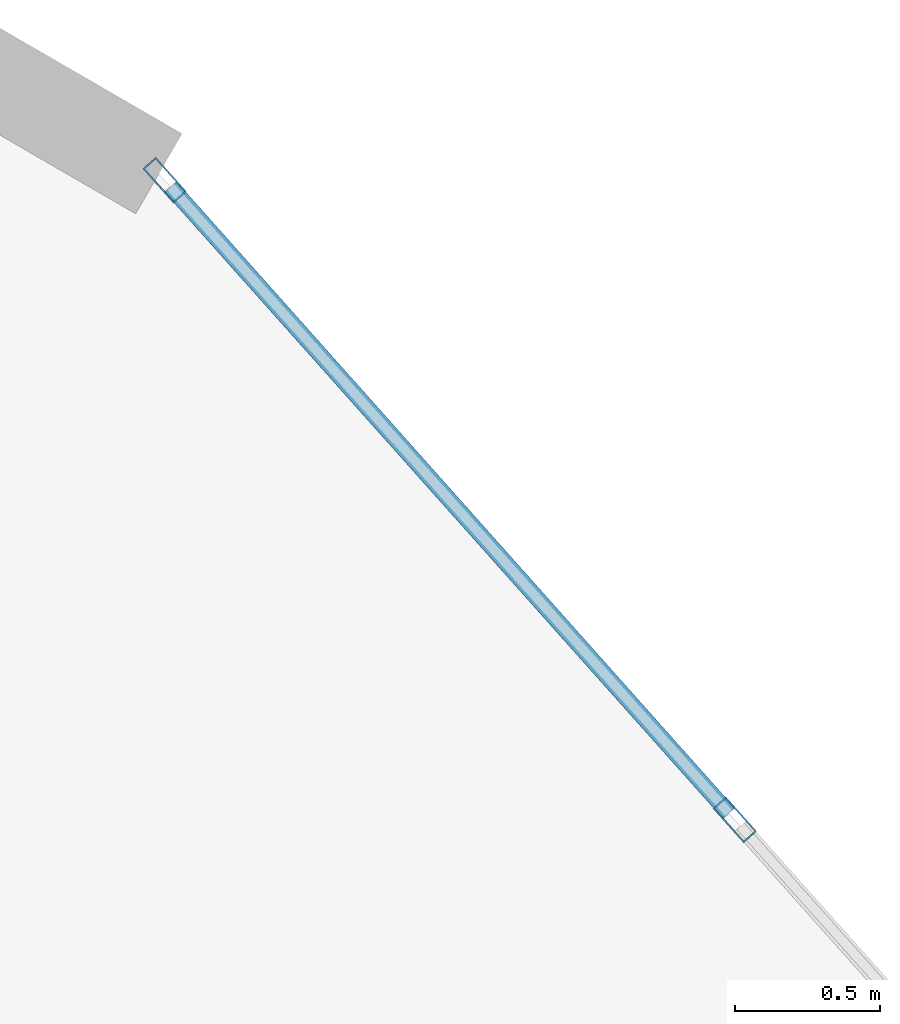
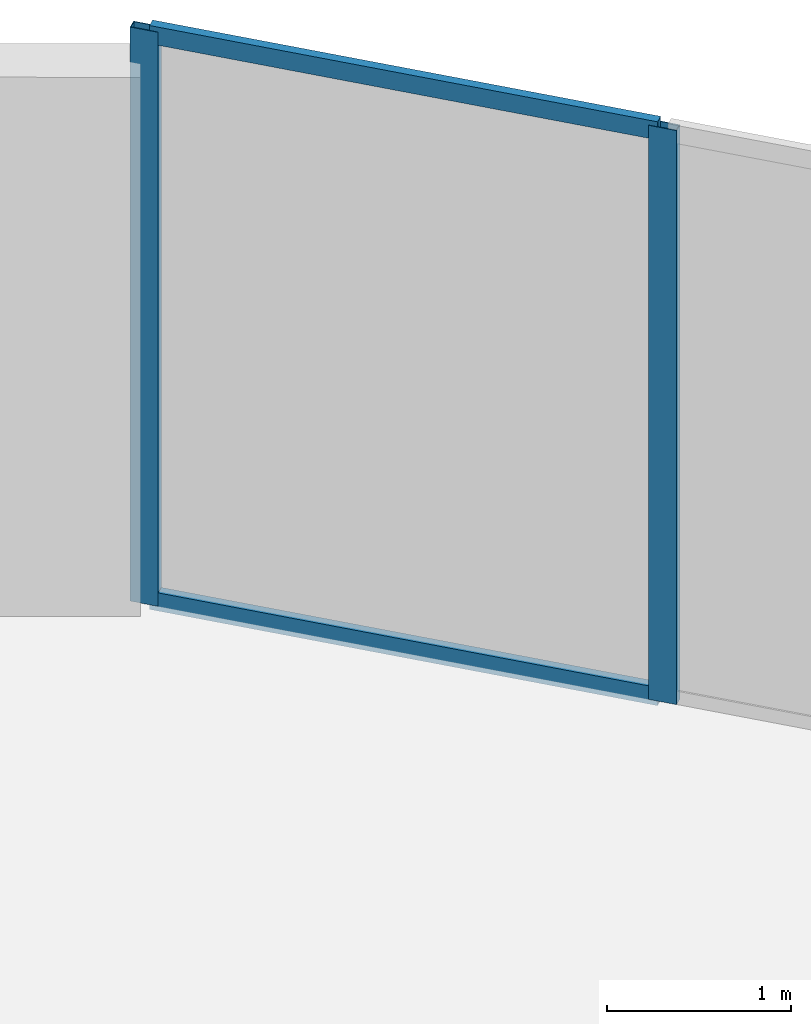
# One storey, part 16 of 23: 4 members, 1 element without a shape of its own.
"""IFC4 building model written with IfcOpenShell, lengths in metres."""

from ifc_helpers import new_model, si_unit, direction, frame, origin, origin_2d, place, context, subcontext, project, spatial, hollow_rectangle, extrude, source, transform, mapped, material, layer, layer_set, material_profile, profile_set, type_object, element, aggregate, save


model = new_model("IFC4")

# Units and contexts
model_context = context("Model", 3, precision=1e-05, world=origin(), true_north=direction((0.0, 1.0)))
body_context = subcontext(model_context, "Body", "Model", "MODEL_VIEW")
ifc_project = project(units=[si_unit("LENGTHUNIT", "METRE"), si_unit("AREAUNIT", "SQUARE_METRE"), si_unit("VOLUMEUNIT", "CUBIC_METRE"), si_unit("PLANEANGLEUNIT", "RADIAN"), si_unit("MASSUNIT", "GRAM", prefix="KILO")], contexts=[model_context])

# Site, building, storey
site_placement = place(None, origin())
site = spatial("IfcSite", under=ifc_project, at=site_placement, CompositionType="ELEMENT")
building_placement = place(site_placement, origin())
building = spatial("IfcBuilding", under=site, at=building_placement, Name="Solvirekh Grand Hotel", CompositionType="ELEMENT")
storey_placement = place(building_placement, frame((0.0, 0.0, 285.800048828125)))
storey = spatial("IfcBuildingStorey", under=building, at=storey_placement, Name="L74", CompositionType="ELEMENT", Elevation=285.800048828125)

# Curtain wall, members
ifc_material = material(Name="Anodized Bronze Aluminium 6063-T6", Category="aluminium")
ifc_layer = layer(ifc_material, 0.159912109375)
ifc_layer_set = layer_set([ifc_layer], Name="Anodized Bronze Aluminium 6063-T6")
curtain_wall_type = type_object("IfcCurtainWallType", Name="CW_Sys4_HighZoneFlushBronzeCW", PredefinedType="NOTDEFINED", material=ifc_layer_set)
curtain_wall_placement = place(storey_placement, origin())
curtain_wall = element("IfcCurtainWall", 1, at=curtain_wall_placement, inside=storey, type_object=curtain_wall_type, Name="L74 unitised bronze-glass curtain wall CW-L74-C08", PredefinedType="NOTDEFINED")
ifc_material_profile_1 = material_profile(ifc_material, hollow_rectangle(XDim=0.06005859375, YDim=0.159912109375, WallThickness=0.0048828125, at=origin_2d()), Name="ALU RHS 160X60X5")
ifc_profile_set_1 = profile_set([ifc_material_profile_1], Name="Anodized Bronze Aluminium 6063-T6")
member_type_1 = type_object("IfcMemberType", Name="CWMullion_Sys4", PredefinedType="MULLION", material=ifc_profile_set_1)
shared_shape_1 = source(origin(), body_context, "Body", "SweptSolid", [
    extrude(hollow_rectangle(XDim=0.06005859375, YDim=0.159912109375, WallThickness=0.0048828125, at=origin_2d()), origin(), (0.0, 0.0, 1.0), 3.800048828125),
])
member_1_placement = place(storey_placement, frame((12.448974609375, 13.115478515625, 0.0), z_axis=(0.0, 0.0, 1.0), x_axis=(-0.746468159364, -0.665421135114, 0.0)))
member_1 = element("IfcMember", 2, at=member_1_placement, type_object=member_type_1, Name="U04 mullion 2", PredefinedType="MULLION", context=body_context, shape_type="MappedRepresentation", body=[
    mapped(shared_shape_1, transform((0.0, 0.0, 0.0), x_axis=(1.0, 0.0, 0.0), y_axis=(0.0, 1.0, 0.0), z_axis=(0.0, 0.0, 1.0), scale=1.0)),
])
member_2_placement = place(storey_placement, frame((10.47802734375, 15.32666015625, 0.0), z_axis=(0.0, 0.0, 1.0), x_axis=(-0.746468159364, -0.665421135114, 0.0)))
member_2 = element("IfcMember", 3, at=member_2_placement, type_object=member_type_1, Name="U04 mullion 3", PredefinedType="MULLION", context=body_context, shape_type="MappedRepresentation", body=[
    mapped(shared_shape_1, transform((0.0, 0.0, 0.0), x_axis=(1.0, 0.0, 0.0), y_axis=(0.0, 1.0, 0.0), z_axis=(0.0, 0.0, 1.0), scale=1.0)),
])
ifc_material_profile_2 = material_profile(ifc_material, hollow_rectangle(XDim=0.054931640625, YDim=0.1201171875, WallThickness=0.00390625, at=origin_2d()), Name="ALU RHS 120X55X4")
ifc_profile_set_2 = profile_set([ifc_material_profile_2], Name="Anodized Bronze Aluminium 6063-T6")
member_type_2 = type_object("IfcMemberType", Name="CWTransom_Sys4", PredefinedType="USERDEFINED", material=ifc_profile_set_2)
shared_shape_2 = source(origin(), body_context, "Body", "SweptSolid", [
    extrude(hollow_rectangle(XDim=0.054931640625, YDim=0.1201171875, WallThickness=0.00390625, at=origin_2d()), origin(), (0.0, 0.0, 1.0), 2.90185546875),
])
member_3_placement = place(storey_placement, frame((12.428955078125, 13.137939453125, 0.02734375), z_axis=(-0.66539192836, 0.746494193999, 0.0), x_axis=(-0.746494193999, -0.66539192836, 0.0)))
member_3 = element("IfcMember", 4, at=member_3_placement, type_object=member_type_2, Name="U04 transom 2.1", ObjectType="TRANSOM", PredefinedType="USERDEFINED", context=body_context, shape_type="MappedRepresentation", body=[
    mapped(shared_shape_2, transform((0.0, 0.0, 0.0), x_axis=(1.0, 0.0, 0.0), y_axis=(0.0, 1.0, 0.0), z_axis=(0.0, 0.0, 1.0), scale=1.0)),
])
member_4_placement = place(storey_placement, frame((12.428955078125, 13.137939453125, 3.7724609375), z_axis=(-0.66539192836, 0.746494193999, 0.0), x_axis=(-0.746494193999, -0.66539192836, 0.0)))
member_4 = element("IfcMember", 5, at=member_4_placement, type_object=member_type_2, Name="U04 transom 2.2", ObjectType="TRANSOM", PredefinedType="USERDEFINED", context=body_context, shape_type="MappedRepresentation", body=[
    mapped(shared_shape_2, transform((0.0, 0.0, 0.0), x_axis=(1.0, 0.0, 0.0), y_axis=(0.0, 1.0, 0.0), z_axis=(0.0, 0.0, 1.0), scale=1.0)),
])
aggregate(curtain_wall, [member_1, member_2, member_3, member_4])

save(model, "model.ifc")
